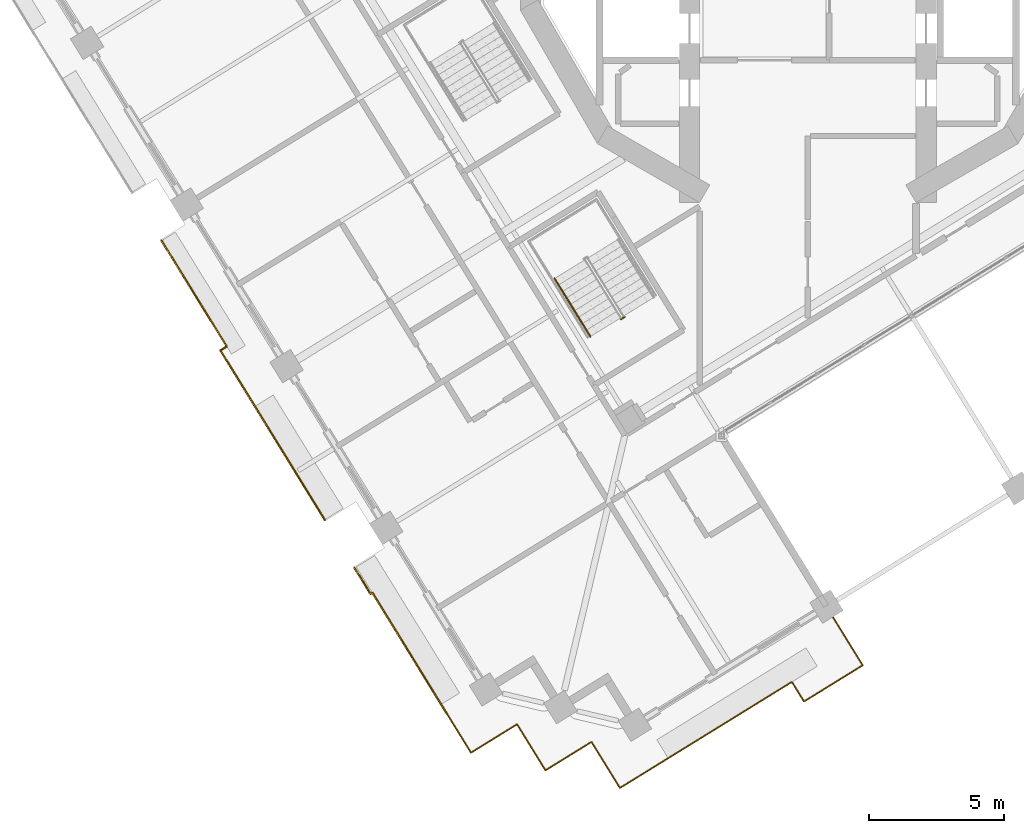
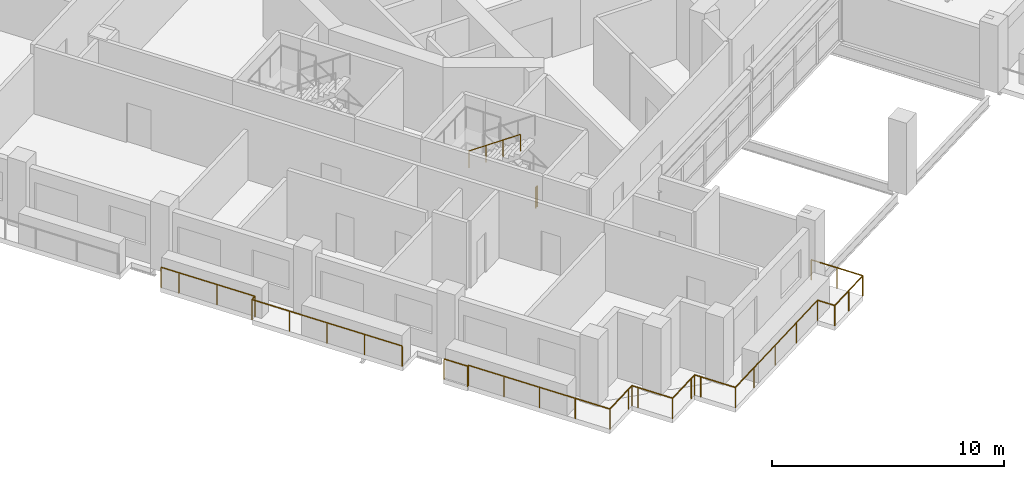
# One storey, part 16 of 22: 6 railings.
"""IFC4 building model written with IfcOpenShell, lengths in metres."""

from ifc_helpers import new_model, si_unit, direction, frame, origin, origin_2d, place, context, subcontext, project, spatial, circle, extrude, material, type_object, element, save


model = new_model("IFC4")

# Units and contexts
model_context = context("Model", 3, precision=1e-05, world=origin(), true_north=direction((0.0, 1.0)))
body_context = subcontext(model_context, "Body", "Model", "MODEL_VIEW")
ifc_project = project(units=[si_unit("LENGTHUNIT", "METRE"), si_unit("AREAUNIT", "SQUARE_METRE"), si_unit("VOLUMEUNIT", "CUBIC_METRE"), si_unit("PLANEANGLEUNIT", "RADIAN"), si_unit("MASSUNIT", "GRAM", prefix="KILO")], contexts=[model_context])

# Site, building, storey
site_placement = place(None, origin())
site = spatial("IfcSite", under=ifc_project, at=site_placement, CompositionType="ELEMENT")
building_placement = place(site_placement, origin())
building = spatial("IfcBuilding", under=site, at=building_placement, Name="Cantera Rosa Tower", CompositionType="ELEMENT")
storey_placement = place(building_placement, frame((0.0, 0.0, 174.199951171875)))
storey = spatial("IfcBuildingStorey", under=building, at=storey_placement, Name="L38", CompositionType="ELEMENT", Elevation=174.199951171875)

# Railings
ifc_material_1 = material(Name="Stainless steel and laminated glass", Category="steel")
railing_type_1 = type_object("IfcRailingType", Name="GUARD 1100", PredefinedType="BALUSTRADE", material=ifc_material_1)
railing_1_placement = place(storey_placement, frame((-13.34130859375, -28.848876953125, 0.0)))
element("IfcRailing", 1, at=railing_1_placement, inside=storey, type_object=railing_type_1, Name="GUARD L38-1", PredefinedType="BALUSTRADE", context=body_context, shape_type="SweptSolid", body=[
    extrude(circle(Radius=0.030029296875, at=origin_2d()), frame((0.0, 0.0, 1.070068359375), z_axis=(-0.524980961903, 0.85111396983, 0.0), x_axis=(-0.85111396983, -0.524980961903, 0.0)), (0.0, 0.0, 1.0), 5.240234375),
    extrude(circle(Radius=0.030029296875, at=origin_2d()), frame((-2.7509765625, 4.4599609375, 1.070068359375), z_axis=(-0.851763497745, -0.523926468037, 0.0), x_axis=(0.523926468037, -0.851763497745, 0.0)), (0.0, 0.0, 1.0), 0.07958984375),
    extrude(circle(Radius=0.030029296875, at=origin_2d()), frame((-2.81884765625, 4.418212890625, 1.070068359375), z_axis=(-0.524950242429, 0.851132917336, 0.0), x_axis=(-0.851132917336, -0.524950242429, 0.0)), (0.0, 0.0, 1.0), 1.149658203125),
    extrude(circle(Radius=0.02490234375, at=origin_2d()), origin(), (0.0, 0.0, 1.0), 1.0400390625),
    extrude(circle(Radius=0.02490234375, at=origin_2d()), frame((-0.9169921875, 1.486572265625, 0.0)), (0.0, 0.0, 1.0), 1.0400390625),
    extrude(circle(Radius=0.02490234375, at=origin_2d()), frame((-1.833984375, 2.973388671875, 0.0)), (0.0, 0.0, 1.0), 1.0400390625),
    extrude(circle(Radius=0.02490234375, at=origin_2d()), frame((-2.7509765625, 4.4599609375, 0.0)), (0.0, 0.0, 1.0), 1.0400390625),
    extrude(circle(Radius=0.02490234375, at=origin_2d()), frame((-2.81884765625, 4.418212890625, 0.0)), (0.0, 0.0, 1.0), 1.0400390625),
    extrude(circle(Radius=0.02490234375, at=origin_2d()), frame((-3.42236328125, 5.396728515625, 0.0)), (0.0, 0.0, 1.0), 1.0400390625),
])
railing_2_placement = place(storey_placement, frame((0.701904296875, -24.910400390625, 0.0)))
element("IfcRailing", 2, at=railing_2_placement, inside=storey, type_object=railing_type_1, Name="GUARD L38-2", PredefinedType="BALUSTRADE", context=body_context, shape_type="SweptSolid", body=[
    extrude(circle(Radius=0.030029296875, at=origin_2d()), frame((0.0, 0.0, 1.070068359375), z_axis=(0.524979524109, -0.851114856683, 0.0), x_axis=(0.851114856683, 0.524979524109, 0.0)), (0.0, 0.0, 1.0), 2.53173828125),
    extrude(circle(Radius=0.030029296875, at=origin_2d()), frame((1.3291015625, -2.15478515625, 1.070068359375), z_axis=(-0.851122422221, -0.5249672584, 0.0), x_axis=(0.5249672584, -0.851122422221, 0.0)), (0.0, 0.0, 1.0), 2.5517578125),
    extrude(circle(Radius=0.030029296875, at=origin_2d()), frame((-0.8427734375, -3.494384765625, 1.070068359375), z_axis=(-0.525120578111, 0.851027836469, 0.0), x_axis=(-0.851027836469, -0.525120578111, 0.0)), (0.0, 0.0, 1.0), 0.851806640625),
    extrude(circle(Radius=0.030029296875, at=origin_2d()), frame((-1.2900390625, -2.76953125, 1.070068359375), z_axis=(-0.851124537433, -0.524963829021, 0.0), x_axis=(0.524963829021, -0.851124537433, 0.0)), (0.0, 0.0, 1.0), 5.76806640625),
    extrude(circle(Radius=0.030029296875, at=origin_2d()), frame((-6.199462890625, -5.797607421875, 1.070068359375), z_axis=(-0.851130227454, -0.524954603669, 0.0), x_axis=(0.524954603669, -0.851130227454, 0.0)), (0.0, 0.0, 1.0), 1.699951171875),
    extrude(circle(Radius=0.030029296875, at=origin_2d()), frame((-7.646240234375, -6.68994140625, 1.070068359375), z_axis=(-0.525058638144, 0.851066052965, 0.0), x_axis=(-0.851066052965, -0.525058638144, 0.0)), (0.0, 0.0, 1.0), 1.699951171875),
    extrude(circle(Radius=0.030029296875, at=origin_2d()), frame((-8.538818359375, -5.2431640625, 1.070068359375), z_axis=(-0.524869051004, 0.85118298814, 0.0), x_axis=(-0.85118298814, -0.524869051004, 0.0)), (0.0, 0.0, 1.0), 0.300048828125),
    extrude(circle(Radius=0.030029296875, at=origin_2d()), frame((-8.6962890625, -4.98779296875, 1.070068359375), z_axis=(-0.85118298814, -0.524869051004, 0.0), x_axis=(0.524869051004, -0.85118298814, 0.0)), (0.0, 0.0, 1.0), 0.300048828125),
    extrude(circle(Radius=0.030029296875, at=origin_2d()), frame((-8.95166015625, -5.145263671875, 1.070068359375), z_axis=(-0.851066052965, -0.525058638144, 0.0), x_axis=(0.525058638144, -0.851066052965, 0.0)), (0.0, 0.0, 1.0), 1.699951171875),
    extrude(circle(Radius=0.030029296875, at=origin_2d()), frame((-10.3984375, -6.037841796875, 1.070068359375), z_axis=(-0.524994468487, 0.851105638601, 0.0), x_axis=(-0.851105638601, -0.524994468487, 0.0)), (0.0, 0.0, 1.0), 1.7001953125),
    extrude(circle(Radius=0.030029296875, at=origin_2d()), frame((-11.291015625, -4.5908203125, 1.070068359375), z_axis=(-0.524869051004, 0.85118298814, 0.0), x_axis=(-0.85118298814, -0.524869051004, 0.0)), (0.0, 0.0, 1.0), 0.300048828125),
    extrude(circle(Radius=0.030029296875, at=origin_2d()), frame((-11.448486328125, -4.33544921875, 1.070068359375), z_axis=(-0.85118298814, -0.524869051004, 0.0), x_axis=(0.524869051004, -0.85118298814, 0.0)), (0.0, 0.0, 1.0), 0.300048828125),
    extrude(circle(Radius=0.030029296875, at=origin_2d()), frame((-11.703857421875, -4.492919921875, 1.070068359375), z_axis=(-0.851066052965, -0.525058638144, 0.0), x_axis=(0.525058638144, -0.851066052965, 0.0)), (0.0, 0.0, 1.0), 1.699951171875),
    extrude(circle(Radius=0.030029296875, at=origin_2d()), frame((-13.150634765625, -5.385498046875, 1.070068359375), z_axis=(-0.524994468487, 0.851105638601, 0.0), x_axis=(-0.851105638601, -0.524994468487, 0.0)), (0.0, 0.0, 1.0), 1.7001953125),
    extrude(circle(Radius=0.02490234375, at=origin_2d()), origin(), (0.0, 0.0, 1.0), 1.0400390625),
    extrude(circle(Radius=0.02490234375, at=origin_2d()), frame((0.66455078125, -1.077392578125, 0.0)), (0.0, 0.0, 1.0), 1.0400390625),
    extrude(circle(Radius=0.02490234375, at=origin_2d()), frame((1.3291015625, -2.15478515625, 0.0)), (0.0, 0.0, 1.0), 1.0400390625),
    extrude(circle(Radius=0.02490234375, at=origin_2d()), frame((0.2431640625, -2.82470703125, 0.0)), (0.0, 0.0, 1.0), 1.0400390625),
    extrude(circle(Radius=0.02490234375, at=origin_2d()), frame((-0.8427734375, -3.494384765625, 0.0)), (0.0, 0.0, 1.0), 1.0400390625),
    extrude(circle(Radius=0.02490234375, at=origin_2d()), frame((-1.2900390625, -2.76953125, 0.0)), (0.0, 0.0, 1.0), 1.0400390625),
    extrude(circle(Radius=0.02490234375, at=origin_2d()), frame((-2.926513671875, -3.77880859375, 0.0)), (0.0, 0.0, 1.0), 1.0400390625),
    extrude(circle(Radius=0.02490234375, at=origin_2d()), frame((-4.56298828125, -4.788330078125, 0.0)), (0.0, 0.0, 1.0), 1.0400390625),
    extrude(circle(Radius=0.02490234375, at=origin_2d()), frame((-6.199462890625, -5.797607421875, 0.0)), (0.0, 0.0, 1.0), 1.0400390625),
    extrude(circle(Radius=0.02490234375, at=origin_2d()), frame((-7.646240234375, -6.68994140625, 0.0)), (0.0, 0.0, 1.0), 1.0400390625),
    extrude(circle(Radius=0.02490234375, at=origin_2d()), frame((-8.538818359375, -5.2431640625, 0.0)), (0.0, 0.0, 1.0), 1.0400390625),
    extrude(circle(Radius=0.02490234375, at=origin_2d()), frame((-8.6962890625, -4.98779296875, 0.0)), (0.0, 0.0, 1.0), 1.0400390625),
    extrude(circle(Radius=0.02490234375, at=origin_2d()), frame((-8.95166015625, -5.145263671875, 0.0)), (0.0, 0.0, 1.0), 1.0400390625),
    extrude(circle(Radius=0.02490234375, at=origin_2d()), frame((-10.3984375, -6.037841796875, 0.0)), (0.0, 0.0, 1.0), 1.0400390625),
    extrude(circle(Radius=0.02490234375, at=origin_2d()), frame((-11.291015625, -4.5908203125, 0.0)), (0.0, 0.0, 1.0), 1.0400390625),
    extrude(circle(Radius=0.02490234375, at=origin_2d()), frame((-11.448486328125, -4.33544921875, 0.0)), (0.0, 0.0, 1.0), 1.0400390625),
    extrude(circle(Radius=0.02490234375, at=origin_2d()), frame((-11.703857421875, -4.492919921875, 0.0)), (0.0, 0.0, 1.0), 1.0400390625),
    extrude(circle(Radius=0.02490234375, at=origin_2d()), frame((-13.150634765625, -5.385498046875, 0.0)), (0.0, 0.0, 1.0), 1.0400390625),
    extrude(circle(Radius=0.02490234375, at=origin_2d()), frame((-14.043212890625, -3.9384765625, 0.0)), (0.0, 0.0, 1.0), 1.0400390625),
])
railing_3_placement = place(storey_placement, frame((-21.7138671875, -15.426513671875, 0.0)))
element("IfcRailing", 3, at=railing_3_placement, inside=storey, type_object=railing_type_1, Name="GUARD L38-3", PredefinedType="BALUSTRADE", context=body_context, shape_type="SweptSolid", body=[
    extrude(circle(Radius=0.030029296875, at=origin_2d()), frame((0.0, 0.0, 1.070068359375), z_axis=(0.850637179095, 0.525753164081, 0.0), x_axis=(-0.525753164081, 0.850637179095, 0.0)), (0.0, 0.0, 1.0), 0.279541015625),
    extrude(circle(Radius=0.030029296875, at=origin_2d()), frame((0.23779296875, 0.14697265625, 1.070068359375), z_axis=(-0.524949392949, 0.851133441267, 0.0), x_axis=(-0.851133441267, -0.524949392949, 0.0)), (0.0, 0.0, 1.0), 3.740234375),
    extrude(circle(Radius=0.030029296875, at=origin_2d()), frame((-1.7255859375, 3.330322265625, 1.070068359375), z_axis=(-0.525020841331, 0.851089370259, 0.0), x_axis=(-0.851089370259, -0.525020841331, 0.0)), (0.0, 0.0, 1.0), 0.8701171875),
    extrude(circle(Radius=0.02490234375, at=origin_2d()), origin(), (0.0, 0.0, 1.0), 1.0400390625),
    extrude(circle(Radius=0.02490234375, at=origin_2d()), frame((0.23779296875, 0.14697265625, 0.0)), (0.0, 0.0, 1.0), 1.0400390625),
    extrude(circle(Radius=0.02490234375, at=origin_2d()), frame((-0.743896484375, 1.73876953125, 0.0)), (0.0, 0.0, 1.0), 1.0400390625),
    extrude(circle(Radius=0.02490234375, at=origin_2d()), frame((-1.7255859375, 3.330322265625, 0.0)), (0.0, 0.0, 1.0), 1.0400390625),
    extrude(circle(Radius=0.02490234375, at=origin_2d()), frame((-2.182373046875, 4.07080078125, 0.0)), (0.0, 0.0, 1.0), 1.0400390625),
])
railing_4_placement = place(storey_placement, frame((-17.844970703125, -21.69873046875, 0.0)))
element("IfcRailing", 4, at=railing_4_placement, inside=storey, type_object=railing_type_1, Name="GUARD L38-4", PredefinedType="BALUSTRADE", context=body_context, shape_type="SweptSolid", body=[
    extrude(circle(Radius=0.030029296875, at=origin_2d()), frame((0.0, 0.0, 1.070068359375), z_axis=(-0.524989905381, 0.851108453282, 0.0), x_axis=(-0.851108453282, -0.524989905381, 0.0)), (0.0, 0.0, 1.0), 7.369384765625),
    extrude(circle(Radius=0.02490234375, at=origin_2d()), origin(), (0.0, 0.0, 1.0), 1.0400390625),
    extrude(circle(Radius=0.02490234375, at=origin_2d()), frame((-0.96728515625, 1.568115234375, 0.0)), (0.0, 0.0, 1.0), 1.0400390625),
    extrude(circle(Radius=0.02490234375, at=origin_2d()), frame((-1.9345703125, 3.13623046875, 0.0)), (0.0, 0.0, 1.0), 1.0400390625),
    extrude(circle(Radius=0.02490234375, at=origin_2d()), frame((-2.901611328125, 4.7041015625, 0.0)), (0.0, 0.0, 1.0), 1.0400390625),
    extrude(circle(Radius=0.02490234375, at=origin_2d()), frame((-3.868896484375, 6.272216796875, 0.0)), (0.0, 0.0, 1.0), 1.0400390625),
])
ifc_material_2 = material(Name="Steel S355J2 (EN 10025-2)", Category="steel")
railing_type_2 = type_object("IfcRailingType", Name="STAIR GUARD 1100", PredefinedType="GUARDRAIL", material=ifc_material_2)
railing_5_placement = place(storey_placement, frame((-6.77490234375, -14.19482421875, 0.0)))
element("IfcRailing", 5, at=railing_5_placement, inside=storey, type_object=railing_type_2, Name="L38 ST-33 stair guard 3", PredefinedType="GUARDRAIL", context=body_context, shape_type="SweptSolid", body=[
    extrude(circle(Radius=0.02392578125, at=origin_2d()), frame((0.0, 0.0, 1.076171875), z_axis=(-0.851546489876, -0.524279100842, 0.0), x_axis=(0.524279100842, -0.851546489876, 0.0)), (0.0, 0.0, 1.0), 0.14990234375),
    extrude(circle(Radius=0.02099609375, at=origin_2d()), origin(), (0.0, 0.0, 1.0), 1.052001953125),
    extrude(circle(Radius=0.02099609375, at=origin_2d()), frame((-0.127685546875, -0.07861328125, 0.0)), (0.0, 0.0, 1.0), 1.052001953125),
])
ifc_material_3 = material(Name="Steel S355J2 (EN 10025-2)", Category="steel")
railing_type_3 = type_object("IfcRailingType", Name="STAIR HANDRAIL 900", PredefinedType="HANDRAIL", material=ifc_material_3)
railing_6_placement = place(storey_placement, frame((-9.358154296875, -12.7685546875, 2.090087890625)))
element("IfcRailing", 6, at=railing_6_placement, inside=storey, type_object=railing_type_3, Name="L38 ST-33 stair handrail 2", PredefinedType="HANDRAIL", context=body_context, shape_type="SweptSolid", body=[
    extrude(circle(Radius=0.02392578125, at=origin_2d()), frame((0.0, 0.0, 0.8759765625), z_axis=(0.434362572038, -0.70429590169, 0.561512634654), x_axis=(0.851145618652, 0.524929648476, 0.0)), (0.0, 0.0, 1.0), 3.045166015625),
    extrude(circle(Radius=0.02099609375, at=origin_2d()), origin(), (0.0, 0.0, 1.0), 0.851806640625),
    extrude(circle(Radius=0.02099609375, at=origin_2d()), frame((0.44091796875, -0.71484375, 0.570068359375)), (0.0, 0.0, 1.0), 0.851806640625),
    extrude(circle(Radius=0.02099609375, at=origin_2d()), frame((0.8818359375, -1.429931640625, 1.139892578125)), (0.0, 0.0, 1.0), 0.851806640625),
    extrude(circle(Radius=0.02099609375, at=origin_2d()), frame((1.32275390625, -2.144775390625, 1.7099609375)), (0.0, 0.0, 1.0), 0.851806640625),
])

save(model, "model.ifc")
